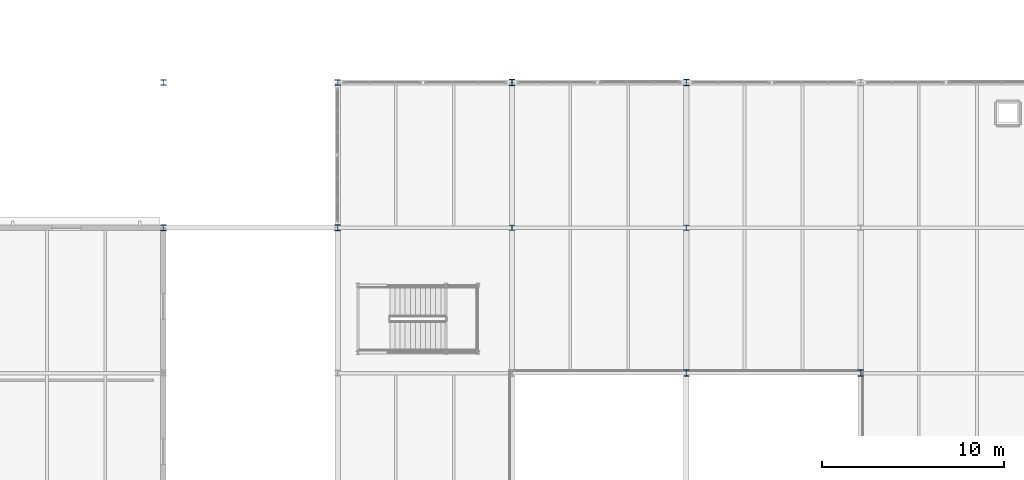
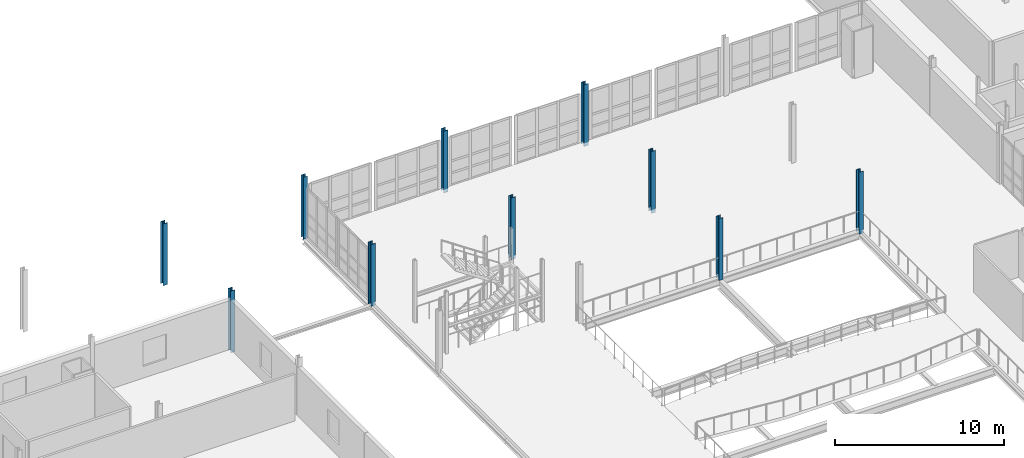
# One storey, part 10 of 73: 10 columns.
"""IFC4 building model written with IfcOpenShell, lengths in metres."""

from ifc_helpers import new_model, si_unit, direction, frame, origin, origin_2d, place, context, subcontext, project, spatial, i_section, extrude, material, material_profile, profile_set, type_object, element, save


model = new_model("IFC4")

# Units and contexts
model_context = context("Model", 3, precision=1e-05, world=origin(), true_north=direction((0.0, 1.0)))
body_context = subcontext(model_context, "Body", "Model", "MODEL_VIEW")
ifc_project = project(units=[si_unit("LENGTHUNIT", "METRE"), si_unit("AREAUNIT", "SQUARE_METRE"), si_unit("VOLUMEUNIT", "CUBIC_METRE"), si_unit("PLANEANGLEUNIT", "RADIAN"), si_unit("MASSUNIT", "GRAM", prefix="KILO")], contexts=[model_context])

# Site, building, storey
site_placement = place(None, origin())
site = spatial("IfcSite", under=ifc_project, at=site_placement, CompositionType="ELEMENT")
building_placement = place(site_placement, origin())
building = spatial("IfcBuilding", under=site, at=building_placement, Name="Alderhovde Museum", CompositionType="ELEMENT")
storey_placement = place(building_placement, frame((0.0, 0.0, 12.89990234375)))
storey = spatial("IfcBuildingStorey", under=building, at=storey_placement, Name="L03", CompositionType="ELEMENT", Elevation=12.89990234375)

# Columns
ifc_material_1 = material(Name="Steel S355J2", Category="steel")
ifc_material_profile_1 = material_profile(ifc_material_1, i_section(OverallWidth=0.300048828125, OverallDepth=0.300048828125, WebThickness=0.010986328125, FlangeThickness=0.01904296875, FilletRadius=0.027099609375, at=origin_2d()), Name="HEB 300")
ifc_profile_set_1 = profile_set([ifc_material_profile_1], Name="Steel S355J2")
column_type_1 = type_object("IfcColumnType", Name="COL-HEB300", PredefinedType="COLUMN", material=ifc_profile_set_1)
for number, where, z_axis, x_axis, name in (
    (1, (67.199951171875, 88.0, -0.260009765625), (0.0, 0.0, 1.0), (1.0, 0.0, 0.0), "L03 Column (67.2, 88.0)"),
    (2, (76.800048828125, 88.0, -0.260009765625), (0.0, 0.0, 1.0), (1.0, 0.0, 0.0), "L03 Column (76.8, 88.0)"),
    (3, (86.39990234375, 80.0, -0.260009765625), (0.0, 0.0, 1.0), (1.0, 0.0, 0.0), "L03 Column (86.4, 80.0)"),
    (4, (96.0, 80.0, -0.260009765625), (0.0, 0.0, 1.0), (1.0, 0.0, 0.0), "L03 Column (96.0, 80.0)"),
):
    element("IfcColumn", number, at=place(storey_placement, frame(where, z_axis=z_axis, x_axis=x_axis)), inside=storey, type_object=column_type_1, Name=name, PredefinedType="COLUMN", context=body_context, shape_type="SweptSolid", body=[
        extrude(i_section(OverallWidth=0.300048828125, OverallDepth=0.300048828125, WebThickness=0.010986328125, FlangeThickness=0.01904296875, FilletRadius=0.027099609375, at=origin_2d()), origin(), (0.0, 0.0, 1.0), 4.480224609375),
    ])
ifc_material_2 = material(Name="Steel S355J2", Category="steel")
ifc_material_profile_2 = material_profile(ifc_material_2, i_section(OverallWidth=0.300048828125, OverallDepth=0.340087890625, WebThickness=0.011962890625, FlangeThickness=0.021484375, FilletRadius=0.027099609375, at=origin_2d()), Name="HEB 340")
ifc_profile_set_2 = profile_set([ifc_material_profile_2], Name="Steel S355J2")
column_type_2 = type_object("IfcColumnType", Name="COL-HEB340", PredefinedType="COLUMN", material=ifc_profile_set_2)
for number, where, z_axis, x_axis, name in (
    (5, (67.199951171875, 80.0, -0.260009765625), (0.0, 0.0, 1.0), (1.0, 0.0, 0.0), "L03 Column (67.2, 80.0)"),
    (6, (76.800048828125, 80.0, -0.260009765625), (0.0, 0.0, 1.0), (1.0, 0.0, 0.0), "L03 Column (76.8, 80.0)"),
    (7, (86.39990234375, 88.0, -0.260009765625), (0.0, 0.0, 1.0), (1.0, 0.0, 0.0), "L03 Column (86.4, 88.0)"),
    (8, (96.0, 72.0, -0.260009765625), (0.0, 0.0, 1.0), (1.0, 0.0, 0.0), "L03 Column (96.0, 72.0)"),
    (9, (96.0, 88.0, -0.260009765625), (0.0, 0.0, 1.0), (1.0, 0.0, 0.0), "L03 Column (96.0, 88.0)"),
    (10, (105.60009765625, 72.0, -0.260009765625), (0.0, 0.0, 1.0), (1.0, 0.0, 0.0), "L03 Column (105.6, 72.0)"),
):
    element("IfcColumn", number, at=place(storey_placement, frame(where, z_axis=z_axis, x_axis=x_axis)), inside=storey, type_object=column_type_2, Name=name, PredefinedType="COLUMN", context=body_context, shape_type="SweptSolid", body=[
        extrude(i_section(OverallWidth=0.300048828125, OverallDepth=0.340087890625, WebThickness=0.011962890625, FlangeThickness=0.021484375, FilletRadius=0.027099609375, at=origin_2d()), origin(), (0.0, 0.0, 1.0), 4.480224609375),
    ])

save(model, "model.ifc")
